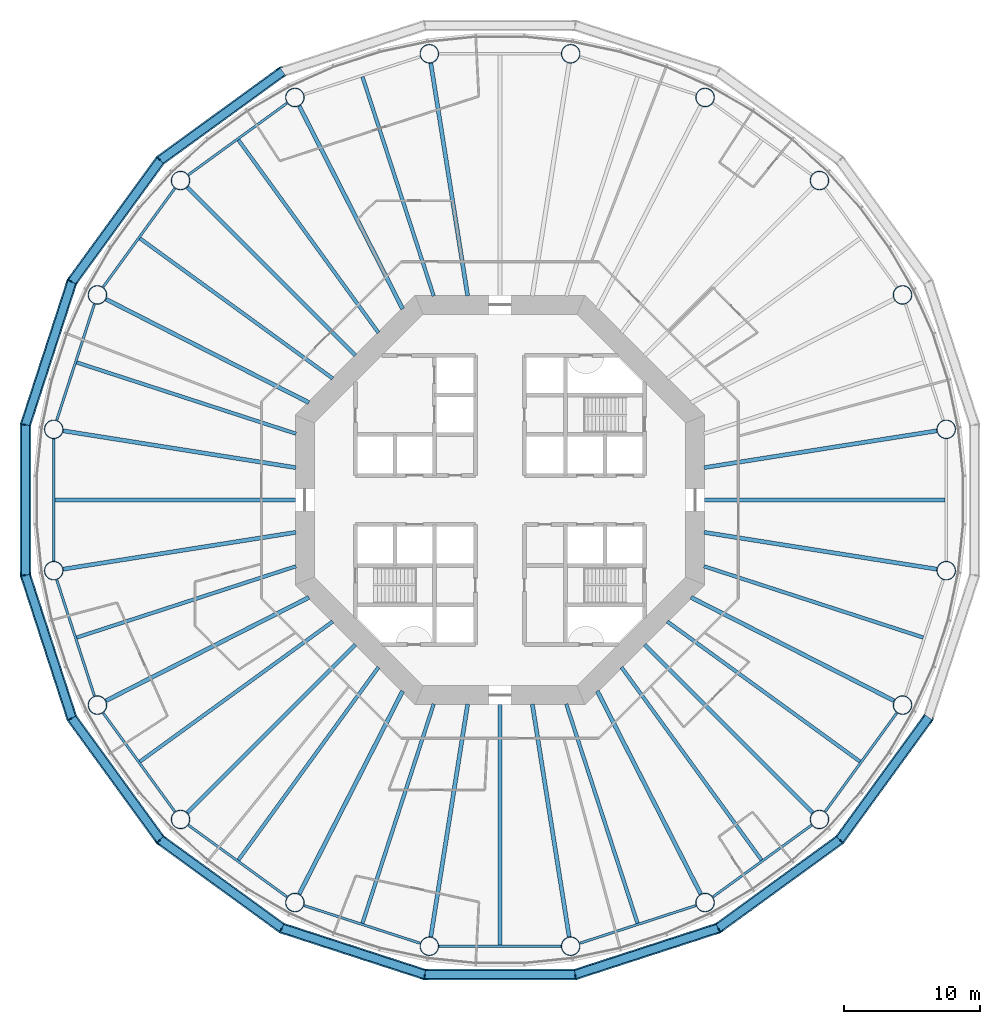
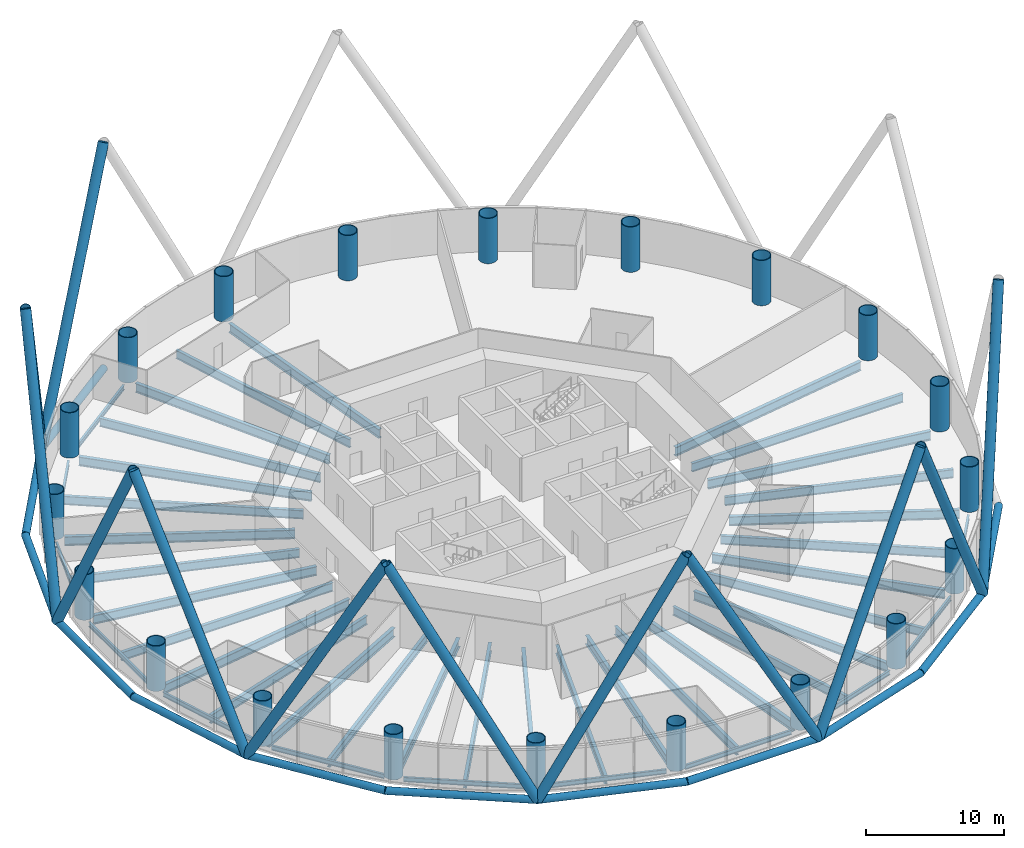
# One storey, part 1 of 13: 43 beams, 24 members, 20 columns.
"""IFC4 building model written with IfcOpenShell, lengths in metres."""

from ifc_helpers import new_model, si_unit, direction, frame, origin, origin_2d, place, context, subcontext, project, spatial, circle, hollow_circle, i_section, extrude, material, material_profile, profile_set, type_object, element, save


model = new_model("IFC4")

# Units and contexts
model_context = context("Model", 3, precision=1e-05, world=origin(), true_north=direction((0.0, 1.0)))
body_context = subcontext(model_context, "Body", "Model", "MODEL_VIEW")
ifc_project = project(units=[si_unit("LENGTHUNIT", "METRE"), si_unit("AREAUNIT", "SQUARE_METRE"), si_unit("VOLUMEUNIT", "CUBIC_METRE"), si_unit("PLANEANGLEUNIT", "RADIAN"), si_unit("MASSUNIT", "GRAM", prefix="KILO")], contexts=[model_context])

# Site, building, storey
site_placement = place(None, origin())
site = spatial("IfcSite", under=ifc_project, at=site_placement, CompositionType="ELEMENT")
building_placement = place(site_placement, origin())
building = spatial("IfcBuilding", under=site, at=building_placement, Name="Entoto Ring Tower", CompositionType="ELEMENT")
storey_placement = place(building_placement, frame((0.0, 0.0, 18.0)))
storey = spatial("IfcBuildingStorey", under=building, at=storey_placement, Name="L02", CompositionType="ELEMENT", Elevation=18.0)

# Columns
ifc_material_1 = material(Name="Steel S355", Category="steel")
ifc_material_profile_1 = material_profile(ifc_material_1, hollow_circle(Radius=0.699951171875, WallThickness=0.06005859375, at=origin_2d()), Name="CHS 1400 x 60")
ifc_material_2 = material(Name="Concrete C60/75", Category="concrete")
ifc_material_profile_2 = material_profile(ifc_material_2, circle(Radius=0.639892578125, at=origin_2d()), Name="Concrete C60/75 infill")
ifc_profile_set_1 = profile_set([ifc_material_profile_1, ifc_material_profile_2], Name="Steel S355")
column_type = type_object("IfcColumnType", Name="Ring column 1400 x 60 concrete-filled tube", PredefinedType="COLUMN", material=ifc_profile_set_1)
for number, where, z_axis, x_axis, name in (
    (1, (122.6923828125, 85.177978515625, 0.0), (0.0, 0.0, 1.0), (1.0, 0.0, 0.0), "RC1 R01"),
    (2, (119.492431640625, 95.027099609375, 0.0), (0.0, 0.0, 1.0), (1.0, 0.0, 0.0), "RC1 R02"),
    (3, (113.4052734375, 103.4052734375, 0.0), (0.0, 0.0, 1.0), (1.0, 0.0, 0.0), "RC1 R03"),
    (4, (105.027099609375, 109.492431640625, 0.0), (0.0, 0.0, 1.0), (1.0, 0.0, 0.0), "RC1 R04"),
    (5, (95.177978515625, 112.6923828125, 0.0), (0.0, 0.0, 1.0), (1.0, 0.0, 0.0), "RC1 R05"),
    (6, (84.822021484375, 112.6923828125, 0.0), (0.0, 0.0, 1.0), (1.0, 0.0, 0.0), "RC1 R06"),
    (7, (74.972900390625, 109.492431640625, 0.0), (0.0, 0.0, 1.0), (1.0, 0.0, 0.0), "RC1 R07"),
    (8, (66.5947265625, 103.4052734375, 0.0), (0.0, 0.0, 1.0), (1.0, 0.0, 0.0), "RC1 R08"),
    (9, (60.507568359375, 95.027099609375, 0.0), (0.0, 0.0, 1.0), (1.0, 0.0, 0.0), "RC1 R09"),
    (10, (57.3076171875, 85.177978515625, 0.0), (0.0, 0.0, 1.0), (1.0, 0.0, 0.0), "RC1 R10"),
    (11, (57.3076171875, 74.822021484375, 0.0), (0.0, 0.0, 1.0), (1.0, 0.0, 0.0), "RC1 R11"),
    (12, (60.507568359375, 64.972900390625, 0.0), (0.0, 0.0, 1.0), (1.0, 0.0, 0.0), "RC1 R12"),
    (13, (66.5947265625, 56.5947265625, 0.0), (0.0, 0.0, 1.0), (1.0, 0.0, 0.0), "RC1 R13"),
    (14, (74.972900390625, 50.507568359375, 0.0), (0.0, 0.0, 1.0), (1.0, 0.0, 0.0), "RC1 R14"),
    (15, (84.822021484375, 47.3076171875, 0.0), (0.0, 0.0, 1.0), (1.0, 0.0, 0.0), "RC1 R15"),
    (16, (95.177978515625, 47.3076171875, 0.0), (0.0, 0.0, 1.0), (1.0, 0.0, 0.0), "RC1 R16"),
    (17, (105.027099609375, 50.507568359375, 0.0), (0.0, 0.0, 1.0), (1.0, 0.0, 0.0), "RC1 R17"),
    (18, (113.4052734375, 56.5947265625, 0.0), (0.0, 0.0, 1.0), (1.0, 0.0, 0.0), "RC1 R18"),
    (19, (119.492431640625, 64.972900390625, 0.0), (0.0, 0.0, 1.0), (1.0, 0.0, 0.0), "RC1 R19"),
    (20, (122.6923828125, 74.822021484375, 0.0), (0.0, 0.0, 1.0), (1.0, 0.0, 0.0), "RC1 R20"),
):
    element("IfcColumn", number, at=place(storey_placement, frame(where, z_axis=z_axis, x_axis=x_axis)), inside=storey, type_object=column_type, Name=name, PredefinedType="COLUMN", context=body_context, shape_type="SweptSolid", body=[
        extrude(hollow_circle(Radius=0.699951171875, WallThickness=0.06005859375, at=origin_2d()), origin(), (0.0, 0.0, 1.0), 4.0),
    ])

# Members
ifc_material_3 = material(Name="Steel S355", Category="steel")
ifc_material_profile_3 = material_profile(ifc_material_3, hollow_circle(Radius=0.39990234375, WallThickness=0.0400390625, at=origin_2d()), Name="CHS 800 x 40")
ifc_material_4 = material(Name="Concrete C60/75", Category="concrete")
ifc_material_profile_4 = material_profile(ifc_material_4, circle(Radius=0.360107421875, at=origin_2d()), Name="Concrete C60/75 infill")
ifc_profile_set_2 = profile_set([ifc_material_profile_3, ifc_material_profile_4], Name="Steel S355")
member_type_1 = type_object("IfcMemberType", Name="Diagrid diagonal 800 x 40 concrete-filled tube", PredefinedType="BRACE", material=ifc_profile_set_2)
for number, where, z_axis, x_axis, name in (
    (21, (65.10986328125, 104.89013671875, 0.0), (0.390232194068, 0.283526240634, 0.875974717435), (-0.587793333731, 0.809011122805, 0.0), "DG1 module 2 07"),
    (22, (65.10986328125, 104.89013671875, 0.0), (-0.283526240634, -0.390232194068, 0.875974717435), (0.809011122805, -0.587793333731, 0.0), "DG1 module 2 08"),
):
    element("IfcMember", number, at=place(storey_placement, frame(where, z_axis=z_axis, x_axis=x_axis)), inside=storey, type_object=member_type_1, Name=name, PredefinedType="BRACE", context=body_context, shape_type="SweptSolid", body=[
        extrude(hollow_circle(Radius=0.39990234375, WallThickness=0.0400390625, at=origin_2d()), origin(), (0.0, 0.0, 1.0), 22.831787109375),
    ])
member_1_placement = place(storey_placement, frame((55.2333984375, 85.506591796875, 0.0), z_axis=(0.149050994589, 0.458744294344, 0.875978009666), x_axis=(-0.951058991317, 0.309009376937, 0.0)))
element("IfcMember", 23, at=member_1_placement, inside=storey, type_object=member_type_1, Name="DG1 module 2 09", PredefinedType="BRACE", context=body_context, shape_type="SweptSolid", body=[
    extrude(hollow_circle(Radius=0.39990234375, WallThickness=0.0400390625, at=origin_2d()), origin(), (0.0, 0.0, 1.0), 22.83154296875),
])
member_2_placement = place(storey_placement, frame((55.2333984375, 85.506591796875, 0.0), z_axis=(0.0, -0.482362007039, 0.875971971107), x_axis=(1.0, 0.0, 0.0)))
element("IfcMember", 24, at=member_2_placement, inside=storey, type_object=member_type_1, Name="DG1 module 2 10", PredefinedType="BRACE", context=body_context, shape_type="SweptSolid", body=[
    extrude(hollow_circle(Radius=0.39990234375, WallThickness=0.0400390625, at=origin_2d()), origin(), (0.0, 0.0, 1.0), 22.831787109375),
])
member_3_placement = place(storey_placement, frame((58.636474609375, 64.01953125, 0.0), z_axis=(-0.149050994589, 0.458744294344, 0.875978009666), x_axis=(-0.951058991317, -0.309009376937, 0.0)))
element("IfcMember", 25, at=member_3_placement, inside=storey, type_object=member_type_1, Name="DG1 module 2 11", PredefinedType="BRACE", context=body_context, shape_type="SweptSolid", body=[
    extrude(hollow_circle(Radius=0.39990234375, WallThickness=0.0400390625, at=origin_2d()), origin(), (0.0, 0.0, 1.0), 22.83154296875),
])
for number, where, z_axis, x_axis, name in (
    (26, (58.636474609375, 64.01953125, 0.0), (0.283526240634, -0.390232194068, 0.875974717435), (0.809011122805, 0.587793333731, 0.0), "DG1 module 2 12"),
    (27, (74.01953125, 48.636474609375, 0.0), (-0.390232194068, 0.283526240634, 0.875974717435), (-0.587793333731, -0.809011122805, 0.0), "DG1 module 2 13"),
):
    element("IfcMember", number, at=place(storey_placement, frame(where, z_axis=z_axis, x_axis=x_axis)), inside=storey, type_object=member_type_1, Name=name, PredefinedType="BRACE", context=body_context, shape_type="SweptSolid", body=[
        extrude(hollow_circle(Radius=0.39990234375, WallThickness=0.0400390625, at=origin_2d()), origin(), (0.0, 0.0, 1.0), 22.831787109375),
    ])
member_4_placement = place(storey_placement, frame((74.01953125, 48.636474609375, 0.0), z_axis=(0.458744294344, -0.149050994589, 0.875978009666), x_axis=(0.309009376937, 0.951058991317, 0.0)))
element("IfcMember", 28, at=member_4_placement, inside=storey, type_object=member_type_1, Name="DG1 module 2 14", PredefinedType="BRACE", context=body_context, shape_type="SweptSolid", body=[
    extrude(hollow_circle(Radius=0.39990234375, WallThickness=0.0400390625, at=origin_2d()), origin(), (0.0, 0.0, 1.0), 22.83154296875),
])
member_5_placement = place(storey_placement, frame((95.506591796875, 45.2333984375, 0.0), z_axis=(-0.482362007039, 0.0, 0.875971971107), x_axis=(0.0, -1.0, 0.0)))
element("IfcMember", 29, at=member_5_placement, inside=storey, type_object=member_type_1, Name="DG1 module 2 15", PredefinedType="BRACE", context=body_context, shape_type="SweptSolid", body=[
    extrude(hollow_circle(Radius=0.39990234375, WallThickness=0.0400390625, at=origin_2d()), origin(), (0.0, 0.0, 1.0), 22.831787109375),
])
member_6_placement = place(storey_placement, frame((95.506591796875, 45.2333984375, 0.0), z_axis=(0.458744294344, 0.149050994589, 0.875978009666), x_axis=(-0.309009376937, 0.951058991317, 0.0)))
element("IfcMember", 30, at=member_6_placement, inside=storey, type_object=member_type_1, Name="DG1 module 2 16", PredefinedType="BRACE", context=body_context, shape_type="SweptSolid", body=[
    extrude(hollow_circle(Radius=0.39990234375, WallThickness=0.0400390625, at=origin_2d()), origin(), (0.0, 0.0, 1.0), 22.83154296875),
])
for number, where, z_axis, x_axis, name in (
    (31, (114.89013671875, 55.10986328125, 0.0), (-0.390232194068, -0.283526240634, 0.875974717435), (0.587793333731, -0.809011122805, 0.0), "DG1 module 2 17"),
    (32, (114.89013671875, 55.10986328125, 0.0), (0.283526240634, 0.390232194068, 0.875974717435), (-0.809011122805, 0.587793333731, 0.0), "DG1 module 2 18"),
):
    element("IfcMember", number, at=place(storey_placement, frame(where, z_axis=z_axis, x_axis=x_axis)), inside=storey, type_object=member_type_1, Name=name, PredefinedType="BRACE", context=body_context, shape_type="SweptSolid", body=[
        extrude(hollow_circle(Radius=0.39990234375, WallThickness=0.0400390625, at=origin_2d()), origin(), (0.0, 0.0, 1.0), 22.831787109375),
    ])
ifc_material_5 = material(Name="Steel S355", Category="steel")
ifc_material_profile_5 = material_profile(ifc_material_5, hollow_circle(Radius=0.300048828125, WallThickness=0.030029296875, at=origin_2d()), Name="CHS 600 x 30")
ifc_material_6 = material(Name="Concrete C60/75", Category="concrete")
ifc_material_profile_6 = material_profile(ifc_material_6, circle(Radius=0.27001953125, at=origin_2d()), Name="Concrete C60/75 infill")
ifc_profile_set_3 = profile_set([ifc_material_profile_5, ifc_material_profile_6], Name="Steel S355")
member_type_2 = type_object("IfcMemberType", Name="Diagrid ring beam 600 x 30", PredefinedType="CHORD", material=ifc_profile_set_3)
for number, where, z_axis, x_axis, name in (
    (33, (74.07421875, 111.403076171875, 0.0), (-0.809026721692, -0.587771863556, 0.0), (0.587771863556, -0.809026721692, 0.0), "DR1 ring 1 06"),
    (34, (65.1494140625, 104.94482421875, 0.0), (-0.587771863556, -0.809026721692, 0.0), (0.809026721692, -0.587771863556, 0.0), "DR1 ring 1 07"),
    (35, (58.657470703125, 96.044677734375, 0.0), (-0.309031105137, -0.951051931315, 0.0), (0.951051931315, -0.309031105137, 0.0), "DR1 ring 1 08"),
    (36, (55.2333984375, 85.573974609375, 0.0), (0.0, -1.0, 0.0), (1.0, 0.0, 0.0), "DR1 ring 1 09"),
    (37, (55.21240234375, 74.5576171875, 0.0), (0.309031105137, -0.951051931315, 0.0), (0.951051931315, 0.309031105137, 0.0), "DR1 ring 1 10"),
    (38, (58.596923828125, 64.07421875, 0.0), (0.587771863556, -0.809026721692, 0.0), (0.809026721692, 0.587771863556, 0.0), "DR1 ring 1 11"),
    (39, (65.05517578125, 55.1494140625, 0.0), (0.809026721692, -0.587771863556, 0.0), (0.587771863556, 0.809026721692, 0.0), "DR1 ring 1 12"),
    (40, (73.955322265625, 48.657470703125, 0.0), (0.951051931315, -0.309031105137, 0.0), (0.309031105137, 0.951051931315, 0.0), "DR1 ring 1 13"),
    (41, (84.426025390625, 45.2333984375, 0.0), (1.0, 0.0, 0.0), (0.0, 1.0, 0.0), "DR1 ring 1 14"),
    (42, (95.4423828125, 45.21240234375, 0.0), (0.951051931315, 0.309031105137, 0.0), (-0.309031105137, 0.951051931315, 0.0), "DR1 ring 1 15"),
    (43, (105.92578125, 48.596923828125, 0.0), (0.809026721692, 0.587771863556, 0.0), (-0.587771863556, 0.809026721692, 0.0), "DR1 ring 1 16"),
    (44, (114.8505859375, 55.05517578125, 0.0), (0.587771863556, 0.809026721692, 0.0), (-0.809026721692, 0.587771863556, 0.0), "DR1 ring 1 17"),
):
    element("IfcMember", number, at=place(storey_placement, frame(where, z_axis=z_axis, x_axis=x_axis)), inside=storey, type_object=member_type_2, Name=name, PredefinedType="CHORD", context=body_context, shape_type="SweptSolid", body=[
        extrude(hollow_circle(Radius=0.300048828125, WallThickness=0.030029296875, at=origin_2d()), origin(), (0.0, 0.0, 1.0), 11.14794921875),
    ])

# Beams
ifc_material_7 = material(Name="Steel S355", Category="steel")
ifc_material_profile_7 = material_profile(ifc_material_7, i_section(OverallWidth=0.179931640625, OverallDepth=0.39990234375, WebThickness=0.008544921875, FlangeThickness=0.013427734375, FilletRadius=0.02099609375, at=origin_2d()), Name="IPE 400")
ifc_profile_set_4 = profile_set([ifc_material_profile_7], Name="Steel S355")
beam_type_1 = type_object("IfcBeamType", Name="Edge beam IPE 400", PredefinedType="SPANDREL", material=ifc_profile_set_4)
for number, where, z_axis, x_axis, name in (
    (45, (74.38671875, 109.06640625, -0.35009765625), (-0.809015726311, -0.587786997629, 0.0), (0.587786997629, -0.809015726311, 0.0), "Edge beam L02 07"),
    (46, (66.1689453125, 102.819091796875, -0.35009765625), (-0.587786997629, -0.809015726311, 0.0), (0.809015726311, -0.587786997629, 0.0), "Edge beam L02 08"),
    (47, (60.28369140625, 94.338134765625, -0.35009765625), (-0.308990624574, -0.951065083959, 0.0), (0.951065083959, -0.308990624574, 0.0), "Edge beam L02 09"),
):
    element("IfcBeam", number, at=place(storey_placement, frame(where, z_axis=z_axis, x_axis=x_axis)), inside=storey, type_object=beam_type_1, Name=name, PredefinedType="SPANDREL", context=body_context, shape_type="SweptSolid", body=[
        extrude(i_section(OverallWidth=0.179931640625, OverallDepth=0.39990234375, WebThickness=0.008544921875, FlangeThickness=0.013427734375, FilletRadius=0.02099609375, at=origin_2d()), origin(), (0.0, 0.0, 1.0), 8.906982421875),
    ])
beam_1_placement = place(storey_placement, frame((57.3076171875, 84.45361328125, -0.35009765625), z_axis=(0.0, -1.0, 0.0), x_axis=(1.0, 0.0, 0.0)))
element("IfcBeam", 48, at=beam_1_placement, inside=storey, type_object=beam_type_1, Name="Edge beam L02 10", PredefinedType="SPANDREL", context=body_context, shape_type="SweptSolid", body=[
    extrude(i_section(OverallWidth=0.179931640625, OverallDepth=0.39990234375, WebThickness=0.008544921875, FlangeThickness=0.013427734375, FilletRadius=0.02099609375, at=origin_2d()), origin(), (0.0, 0.0, 1.0), 8.9072265625),
])
for number, where, z_axis, x_axis, name in (
    (49, (57.531494140625, 74.133056640625, -0.35009765625), (0.308990624574, -0.951065083959, 0.0), (0.951065083959, 0.308990624574, 0.0), "Edge beam L02 11"),
    (50, (60.93359375, 64.38671875, -0.35009765625), (0.587786997629, -0.809015726311, 0.0), (0.809015726311, 0.587786997629, 0.0), "Edge beam L02 12"),
    (51, (67.180908203125, 56.1689453125, -0.35009765625), (0.809015726311, -0.587786997629, 0.0), (0.587786997629, 0.809015726311, 0.0), "Edge beam L02 13"),
    (52, (75.661865234375, 50.28369140625, -0.35009765625), (0.951065083959, -0.308990624574, 0.0), (0.308990624574, 0.951065083959, 0.0), "Edge beam L02 14"),
):
    element("IfcBeam", number, at=place(storey_placement, frame(where, z_axis=z_axis, x_axis=x_axis)), inside=storey, type_object=beam_type_1, Name=name, PredefinedType="SPANDREL", context=body_context, shape_type="SweptSolid", body=[
        extrude(i_section(OverallWidth=0.179931640625, OverallDepth=0.39990234375, WebThickness=0.008544921875, FlangeThickness=0.013427734375, FilletRadius=0.02099609375, at=origin_2d()), origin(), (0.0, 0.0, 1.0), 8.906982421875),
    ])
beam_2_placement = place(storey_placement, frame((85.54638671875, 47.3076171875, -0.35009765625), z_axis=(1.0, 0.0, 0.0), x_axis=(0.0, 1.0, 0.0)))
element("IfcBeam", 53, at=beam_2_placement, inside=storey, type_object=beam_type_1, Name="Edge beam L02 15", PredefinedType="SPANDREL", context=body_context, shape_type="SweptSolid", body=[
    extrude(i_section(OverallWidth=0.179931640625, OverallDepth=0.39990234375, WebThickness=0.008544921875, FlangeThickness=0.013427734375, FilletRadius=0.02099609375, at=origin_2d()), origin(), (0.0, 0.0, 1.0), 8.9072265625),
])
for number, where, z_axis, x_axis, name in (
    (54, (95.866943359375, 47.531494140625, -0.35009765625), (0.951065083959, 0.308990624574, 0.0), (-0.308990624574, 0.951065083959, 0.0), "Edge beam L02 16"),
    (55, (105.61328125, 50.93359375, -0.35009765625), (0.809015726311, 0.587786997629, 0.0), (-0.587786997629, 0.809015726311, 0.0), "Edge beam L02 17"),
    (56, (113.8310546875, 57.180908203125, -0.35009765625), (0.587786997629, 0.809015726311, 0.0), (-0.809015726311, 0.587786997629, 0.0), "Edge beam L02 18"),
):
    element("IfcBeam", number, at=place(storey_placement, frame(where, z_axis=z_axis, x_axis=x_axis)), inside=storey, type_object=beam_type_1, Name=name, PredefinedType="SPANDREL", context=body_context, shape_type="SweptSolid", body=[
        extrude(i_section(OverallWidth=0.179931640625, OverallDepth=0.39990234375, WebThickness=0.008544921875, FlangeThickness=0.013427734375, FilletRadius=0.02099609375, at=origin_2d()), origin(), (0.0, 0.0, 1.0), 8.906982421875),
    ])
ifc_material_8 = material(Name="Steel S355", Category="steel")
ifc_material_profile_8 = material_profile(ifc_material_8, i_section(OverallWidth=0.300048828125, OverallDepth=0.800048828125, WebThickness=0.017578125, FlangeThickness=0.032958984375, FilletRadius=0.030029296875, at=origin_2d()), Name="HE 800 B")
ifc_profile_set_5 = profile_set([ifc_material_profile_8], Name="Steel S355")
beam_type_2 = type_object("IfcBeamType", Name="Primary floor beam HE 800 B", PredefinedType="BEAM", material=ifc_profile_set_5)
for number, where, z_axis, x_axis, name in (
    (57, (104.956787109375, 82.368896484375, -0.550048828125), (0.987688227378, 0.156435179862, 0.0), (-0.156435179862, 0.987688227378, 0.0), "Primary L02 R01"),
    (58, (87.631103515625, 94.956787109375, -0.550048828125), (-0.156435179862, 0.987688227378, 0.0), (-0.987688227378, -0.156435179862, 0.0), "Primary L02 R06"),
):
    element("IfcBeam", number, at=place(storey_placement, frame(where, z_axis=z_axis, x_axis=x_axis)), inside=storey, type_object=beam_type_2, Name=name, PredefinedType="BEAM", context=body_context, shape_type="SweptSolid", body=[
        extrude(i_section(OverallWidth=0.300048828125, OverallDepth=0.800048828125, WebThickness=0.017578125, FlangeThickness=0.032958984375, FilletRadius=0.030029296875, at=origin_2d()), origin(), (0.0, 0.0, 1.0), 17.2421875),
    ])
beam_3_placement = place(storey_placement, frame((82.870849609375, 93.99169921875, -0.550048828125), z_axis=(-0.453991331443, 0.891006100414, 0.0), x_axis=(-0.891006100414, -0.453991331443, 0.0)))
element("IfcBeam", 59, at=beam_3_placement, inside=storey, type_object=beam_type_2, Name="Primary L02 R07", PredefinedType="BEAM", context=body_context, shape_type="SweptSolid", body=[
    extrude(i_section(OverallWidth=0.300048828125, OverallDepth=0.800048828125, WebThickness=0.017578125, FlangeThickness=0.032958984375, FilletRadius=0.030029296875, at=origin_2d()), origin(), (0.0, 0.0, 1.0), 16.681884765625),
])
beam_4_placement = place(storey_placement, frame((79.407470703125, 90.592529296875, -0.550048828125), z_axis=(-0.707106781187, 0.707106781187, 0.0), x_axis=(-0.707106781187, -0.707106781187, 0.0)))
element("IfcBeam", 60, at=beam_4_placement, inside=storey, type_object=beam_type_2, Name="Primary L02 R08", PredefinedType="BEAM", context=body_context, shape_type="SweptSolid", body=[
    extrude(i_section(OverallWidth=0.300048828125, OverallDepth=0.800048828125, WebThickness=0.017578125, FlangeThickness=0.032958984375, FilletRadius=0.030029296875, at=origin_2d()), origin(), (0.0, 0.0, 1.0), 17.4052734375),
])
beam_5_placement = place(storey_placement, frame((76.00830078125, 87.129150390625, -0.550048828125), z_axis=(-0.891006100414, 0.453991331443, 0.0), x_axis=(-0.453991331443, -0.891006100414, 0.0)))
element("IfcBeam", 61, at=beam_5_placement, inside=storey, type_object=beam_type_2, Name="Primary L02 R09", PredefinedType="BEAM", context=body_context, shape_type="SweptSolid", body=[
    extrude(i_section(OverallWidth=0.300048828125, OverallDepth=0.800048828125, WebThickness=0.017578125, FlangeThickness=0.032958984375, FilletRadius=0.030029296875, at=origin_2d()), origin(), (0.0, 0.0, 1.0), 16.681884765625),
])
for number, where, z_axis, x_axis, name in (
    (62, (75.043212890625, 82.368896484375, -0.550048828125), (-0.987688227378, 0.156435179862, 0.0), (-0.156435179862, -0.987688227378, 0.0), "Primary L02 R10"),
    (63, (75.043212890625, 77.631103515625, -0.550048828125), (-0.987688227378, -0.156435179862, 0.0), (0.156435179862, -0.987688227378, 0.0), "Primary L02 R11"),
):
    element("IfcBeam", number, at=place(storey_placement, frame(where, z_axis=z_axis, x_axis=x_axis)), inside=storey, type_object=beam_type_2, Name=name, PredefinedType="BEAM", context=body_context, shape_type="SweptSolid", body=[
        extrude(i_section(OverallWidth=0.300048828125, OverallDepth=0.800048828125, WebThickness=0.017578125, FlangeThickness=0.032958984375, FilletRadius=0.030029296875, at=origin_2d()), origin(), (0.0, 0.0, 1.0), 17.2421875),
    ])
beam_6_placement = place(storey_placement, frame((76.00830078125, 72.870849609375, -0.550048828125), z_axis=(-0.891006100414, -0.453991331443, 0.0), x_axis=(0.453991331443, -0.891006100414, 0.0)))
element("IfcBeam", 64, at=beam_6_placement, inside=storey, type_object=beam_type_2, Name="Primary L02 R12", PredefinedType="BEAM", context=body_context, shape_type="SweptSolid", body=[
    extrude(i_section(OverallWidth=0.300048828125, OverallDepth=0.800048828125, WebThickness=0.017578125, FlangeThickness=0.032958984375, FilletRadius=0.030029296875, at=origin_2d()), origin(), (0.0, 0.0, 1.0), 16.681884765625),
])
beam_7_placement = place(storey_placement, frame((79.407470703125, 69.407470703125, -0.550048828125), z_axis=(-0.707106781187, -0.707106781187, 0.0), x_axis=(0.707106781187, -0.707106781187, 0.0)))
element("IfcBeam", 65, at=beam_7_placement, inside=storey, type_object=beam_type_2, Name="Primary L02 R13", PredefinedType="BEAM", context=body_context, shape_type="SweptSolid", body=[
    extrude(i_section(OverallWidth=0.300048828125, OverallDepth=0.800048828125, WebThickness=0.017578125, FlangeThickness=0.032958984375, FilletRadius=0.030029296875, at=origin_2d()), origin(), (0.0, 0.0, 1.0), 17.4052734375),
])
beam_8_placement = place(storey_placement, frame((82.870849609375, 66.00830078125, -0.550048828125), z_axis=(-0.453991331443, -0.891006100414, 0.0), x_axis=(0.891006100414, -0.453991331443, 0.0)))
element("IfcBeam", 66, at=beam_8_placement, inside=storey, type_object=beam_type_2, Name="Primary L02 R14", PredefinedType="BEAM", context=body_context, shape_type="SweptSolid", body=[
    extrude(i_section(OverallWidth=0.300048828125, OverallDepth=0.800048828125, WebThickness=0.017578125, FlangeThickness=0.032958984375, FilletRadius=0.030029296875, at=origin_2d()), origin(), (0.0, 0.0, 1.0), 16.681884765625),
])
for number, where, z_axis, x_axis, name in (
    (67, (87.631103515625, 65.043212890625, -0.550048828125), (-0.156435179862, -0.987688227378, 0.0), (0.987688227378, -0.156435179862, 0.0), "Primary L02 R15"),
    (68, (92.368896484375, 65.043212890625, -0.550048828125), (0.156435179862, -0.987688227378, 0.0), (0.987688227378, 0.156435179862, 0.0), "Primary L02 R16"),
):
    element("IfcBeam", number, at=place(storey_placement, frame(where, z_axis=z_axis, x_axis=x_axis)), inside=storey, type_object=beam_type_2, Name=name, PredefinedType="BEAM", context=body_context, shape_type="SweptSolid", body=[
        extrude(i_section(OverallWidth=0.300048828125, OverallDepth=0.800048828125, WebThickness=0.017578125, FlangeThickness=0.032958984375, FilletRadius=0.030029296875, at=origin_2d()), origin(), (0.0, 0.0, 1.0), 17.2421875),
    ])
beam_9_placement = place(storey_placement, frame((97.129150390625, 66.00830078125, -0.550048828125), z_axis=(0.453991331443, -0.891006100414, 0.0), x_axis=(0.891006100414, 0.453991331443, 0.0)))
element("IfcBeam", 69, at=beam_9_placement, inside=storey, type_object=beam_type_2, Name="Primary L02 R17", PredefinedType="BEAM", context=body_context, shape_type="SweptSolid", body=[
    extrude(i_section(OverallWidth=0.300048828125, OverallDepth=0.800048828125, WebThickness=0.017578125, FlangeThickness=0.032958984375, FilletRadius=0.030029296875, at=origin_2d()), origin(), (0.0, 0.0, 1.0), 16.681884765625),
])
beam_10_placement = place(storey_placement, frame((100.592529296875, 69.407470703125, -0.550048828125), z_axis=(0.707106781187, -0.707106781187, 0.0), x_axis=(0.707106781187, 0.707106781187, 0.0)))
element("IfcBeam", 70, at=beam_10_placement, inside=storey, type_object=beam_type_2, Name="Primary L02 R18", PredefinedType="BEAM", context=body_context, shape_type="SweptSolid", body=[
    extrude(i_section(OverallWidth=0.300048828125, OverallDepth=0.800048828125, WebThickness=0.017578125, FlangeThickness=0.032958984375, FilletRadius=0.030029296875, at=origin_2d()), origin(), (0.0, 0.0, 1.0), 17.4052734375),
])
beam_11_placement = place(storey_placement, frame((103.99169921875, 72.870849609375, -0.550048828125), z_axis=(0.891006100414, -0.453991331443, 0.0), x_axis=(0.453991331443, 0.891006100414, 0.0)))
element("IfcBeam", 71, at=beam_11_placement, inside=storey, type_object=beam_type_2, Name="Primary L02 R19", PredefinedType="BEAM", context=body_context, shape_type="SweptSolid", body=[
    extrude(i_section(OverallWidth=0.300048828125, OverallDepth=0.800048828125, WebThickness=0.017578125, FlangeThickness=0.032958984375, FilletRadius=0.030029296875, at=origin_2d()), origin(), (0.0, 0.0, 1.0), 16.681884765625),
])
beam_12_placement = place(storey_placement, frame((104.956787109375, 77.631103515625, -0.550048828125), z_axis=(0.987688227378, -0.156435179862, 0.0), x_axis=(0.156435179862, 0.987688227378, 0.0)))
element("IfcBeam", 72, at=beam_12_placement, inside=storey, type_object=beam_type_2, Name="Primary L02 R20", PredefinedType="BEAM", context=body_context, shape_type="SweptSolid", body=[
    extrude(i_section(OverallWidth=0.300048828125, OverallDepth=0.800048828125, WebThickness=0.017578125, FlangeThickness=0.032958984375, FilletRadius=0.030029296875, at=origin_2d()), origin(), (0.0, 0.0, 1.0), 17.2421875),
])
ifc_material_9 = material(Name="Steel S355", Category="steel")
ifc_material_profile_9 = material_profile(ifc_material_9, i_section(OverallWidth=0.262939453125, OverallDepth=0.7529296875, WebThickness=0.011474609375, FlangeThickness=0.01708984375, FilletRadius=0.01708984375, at=origin_2d()), Name="IPE 750 x 137")
ifc_profile_set_6 = profile_set([ifc_material_profile_9], Name="Steel S355")
beam_type_3 = type_object("IfcBeamType", Name="Secondary floor beam IPE 750 x 137", PredefinedType="JOIST", material=ifc_profile_set_6)
beam_13_placement = place(storey_placement, frame((85.1455078125, 94.9404296875, -0.526611328125), z_axis=(-0.30901287187, 0.951057855768, 0.0), x_axis=(-0.951057855768, -0.30901287187, 0.0)))
element("IfcBeam", 73, at=beam_13_placement, inside=storey, type_object=beam_type_3, Name="Secondary beam L02 06", PredefinedType="JOIST", context=body_context, shape_type="SweptSolid", body=[
    extrude(i_section(OverallWidth=0.262939453125, OverallDepth=0.7529296875, WebThickness=0.011474609375, FlangeThickness=0.01708984375, FilletRadius=0.01708984375, at=origin_2d()), origin(), (0.0, 0.0, 1.0), 16.893310546875),
])
for number, where, z_axis, x_axis, name in (
    (74, (81.097412109375, 92.25341796875, -0.526611328125), (-0.58778910532, 0.809014194973, 0.0), (-0.809014194973, -0.58778910532, 0.0), "Secondary beam L02 07"),
    (75, (77.74658203125, 88.902587890625, -0.526611328125), (-0.809014194973, 0.58778910532, 0.0), (-0.58778910532, -0.809014194973, 0.0), "Secondary beam L02 08"),
):
    element("IfcBeam", number, at=place(storey_placement, frame(where, z_axis=z_axis, x_axis=x_axis)), inside=storey, type_object=beam_type_3, Name=name, PredefinedType="JOIST", context=body_context, shape_type="SweptSolid", body=[
        extrude(i_section(OverallWidth=0.262939453125, OverallDepth=0.7529296875, WebThickness=0.011474609375, FlangeThickness=0.01708984375, FilletRadius=0.01708984375, at=origin_2d()), origin(), (0.0, 0.0, 1.0), 17.45654296875),
    ])
beam_14_placement = place(storey_placement, frame((75.0595703125, 84.8544921875, -0.526611328125), z_axis=(-0.951057855768, 0.30901287187, 0.0), x_axis=(-0.30901287187, -0.951057855768, 0.0)))
element("IfcBeam", 76, at=beam_14_placement, inside=storey, type_object=beam_type_3, Name="Secondary beam L02 09", PredefinedType="JOIST", context=body_context, shape_type="SweptSolid", body=[
    extrude(i_section(OverallWidth=0.262939453125, OverallDepth=0.7529296875, WebThickness=0.011474609375, FlangeThickness=0.01708984375, FilletRadius=0.01708984375, at=origin_2d()), origin(), (0.0, 0.0, 1.0), 16.893310546875),
])
beam_15_placement = place(storey_placement, frame((75.02001953125, 80.0, -0.526611328125), z_axis=(-1.0, 0.0, 0.0), x_axis=(0.0, -1.0, 0.0)))
element("IfcBeam", 77, at=beam_15_placement, inside=storey, type_object=beam_type_3, Name="Secondary beam L02 10", PredefinedType="JOIST", context=body_context, shape_type="SweptSolid", body=[
    extrude(i_section(OverallWidth=0.262939453125, OverallDepth=0.7529296875, WebThickness=0.011474609375, FlangeThickness=0.01708984375, FilletRadius=0.01708984375, at=origin_2d()), origin(), (0.0, 0.0, 1.0), 17.62255859375),
])
beam_16_placement = place(storey_placement, frame((75.0595703125, 75.1455078125, -0.526611328125), z_axis=(-0.951057855768, -0.30901287187, 0.0), x_axis=(0.30901287187, -0.951057855768, 0.0)))
element("IfcBeam", 78, at=beam_16_placement, inside=storey, type_object=beam_type_3, Name="Secondary beam L02 11", PredefinedType="JOIST", context=body_context, shape_type="SweptSolid", body=[
    extrude(i_section(OverallWidth=0.262939453125, OverallDepth=0.7529296875, WebThickness=0.011474609375, FlangeThickness=0.01708984375, FilletRadius=0.01708984375, at=origin_2d()), origin(), (0.0, 0.0, 1.0), 16.893310546875),
])
for number, where, z_axis, x_axis, name in (
    (79, (77.74658203125, 71.097412109375, -0.526611328125), (-0.809014194973, -0.58778910532, 0.0), (0.58778910532, -0.809014194973, 0.0), "Secondary beam L02 12"),
    (80, (81.097412109375, 67.74658203125, -0.526611328125), (-0.58778910532, -0.809014194973, 0.0), (0.809014194973, -0.58778910532, 0.0), "Secondary beam L02 13"),
):
    element("IfcBeam", number, at=place(storey_placement, frame(where, z_axis=z_axis, x_axis=x_axis)), inside=storey, type_object=beam_type_3, Name=name, PredefinedType="JOIST", context=body_context, shape_type="SweptSolid", body=[
        extrude(i_section(OverallWidth=0.262939453125, OverallDepth=0.7529296875, WebThickness=0.011474609375, FlangeThickness=0.01708984375, FilletRadius=0.01708984375, at=origin_2d()), origin(), (0.0, 0.0, 1.0), 17.45654296875),
    ])
beam_17_placement = place(storey_placement, frame((85.1455078125, 65.0595703125, -0.526611328125), z_axis=(-0.30901287187, -0.951057855768, 0.0), x_axis=(0.951057855768, -0.30901287187, 0.0)))
element("IfcBeam", 81, at=beam_17_placement, inside=storey, type_object=beam_type_3, Name="Secondary beam L02 14", PredefinedType="JOIST", context=body_context, shape_type="SweptSolid", body=[
    extrude(i_section(OverallWidth=0.262939453125, OverallDepth=0.7529296875, WebThickness=0.011474609375, FlangeThickness=0.01708984375, FilletRadius=0.01708984375, at=origin_2d()), origin(), (0.0, 0.0, 1.0), 16.893310546875),
])
beam_18_placement = place(storey_placement, frame((90.0, 65.02001953125, -0.526611328125), z_axis=(0.0, -1.0, 0.0), x_axis=(1.0, 0.0, 0.0)))
element("IfcBeam", 82, at=beam_18_placement, inside=storey, type_object=beam_type_3, Name="Secondary beam L02 15", PredefinedType="JOIST", context=body_context, shape_type="SweptSolid", body=[
    extrude(i_section(OverallWidth=0.262939453125, OverallDepth=0.7529296875, WebThickness=0.011474609375, FlangeThickness=0.01708984375, FilletRadius=0.01708984375, at=origin_2d()), origin(), (0.0, 0.0, 1.0), 17.62255859375),
])
beam_19_placement = place(storey_placement, frame((94.8544921875, 65.0595703125, -0.526611328125), z_axis=(0.30901287187, -0.951057855768, 0.0), x_axis=(0.951057855768, 0.30901287187, 0.0)))
element("IfcBeam", 83, at=beam_19_placement, inside=storey, type_object=beam_type_3, Name="Secondary beam L02 16", PredefinedType="JOIST", context=body_context, shape_type="SweptSolid", body=[
    extrude(i_section(OverallWidth=0.262939453125, OverallDepth=0.7529296875, WebThickness=0.011474609375, FlangeThickness=0.01708984375, FilletRadius=0.01708984375, at=origin_2d()), origin(), (0.0, 0.0, 1.0), 16.893310546875),
])
for number, where, z_axis, x_axis, name in (
    (84, (98.902587890625, 67.74658203125, -0.526611328125), (0.58778910532, -0.809014194973, 0.0), (0.809014194973, 0.58778910532, 0.0), "Secondary beam L02 17"),
    (85, (102.25341796875, 71.097412109375, -0.526611328125), (0.809014194973, -0.58778910532, 0.0), (0.58778910532, 0.809014194973, 0.0), "Secondary beam L02 18"),
):
    element("IfcBeam", number, at=place(storey_placement, frame(where, z_axis=z_axis, x_axis=x_axis)), inside=storey, type_object=beam_type_3, Name=name, PredefinedType="JOIST", context=body_context, shape_type="SweptSolid", body=[
        extrude(i_section(OverallWidth=0.262939453125, OverallDepth=0.7529296875, WebThickness=0.011474609375, FlangeThickness=0.01708984375, FilletRadius=0.01708984375, at=origin_2d()), origin(), (0.0, 0.0, 1.0), 17.45654296875),
    ])
beam_20_placement = place(storey_placement, frame((104.9404296875, 75.1455078125, -0.526611328125), z_axis=(0.951057855768, -0.30901287187, 0.0), x_axis=(0.30901287187, 0.951057855768, 0.0)))
element("IfcBeam", 86, at=beam_20_placement, inside=storey, type_object=beam_type_3, Name="Secondary beam L02 19", PredefinedType="JOIST", context=body_context, shape_type="SweptSolid", body=[
    extrude(i_section(OverallWidth=0.262939453125, OverallDepth=0.7529296875, WebThickness=0.011474609375, FlangeThickness=0.01708984375, FilletRadius=0.01708984375, at=origin_2d()), origin(), (0.0, 0.0, 1.0), 16.893310546875),
])
beam_21_placement = place(storey_placement, frame((104.97998046875, 80.0, -0.526611328125), z_axis=(1.0, 0.0, 0.0), x_axis=(0.0, 1.0, 0.0)))
element("IfcBeam", 87, at=beam_21_placement, inside=storey, type_object=beam_type_3, Name="Secondary beam L02 20", PredefinedType="JOIST", context=body_context, shape_type="SweptSolid", body=[
    extrude(i_section(OverallWidth=0.262939453125, OverallDepth=0.7529296875, WebThickness=0.011474609375, FlangeThickness=0.01708984375, FilletRadius=0.01708984375, at=origin_2d()), origin(), (0.0, 0.0, 1.0), 17.62255859375),
])

save(model, "model.ifc")
